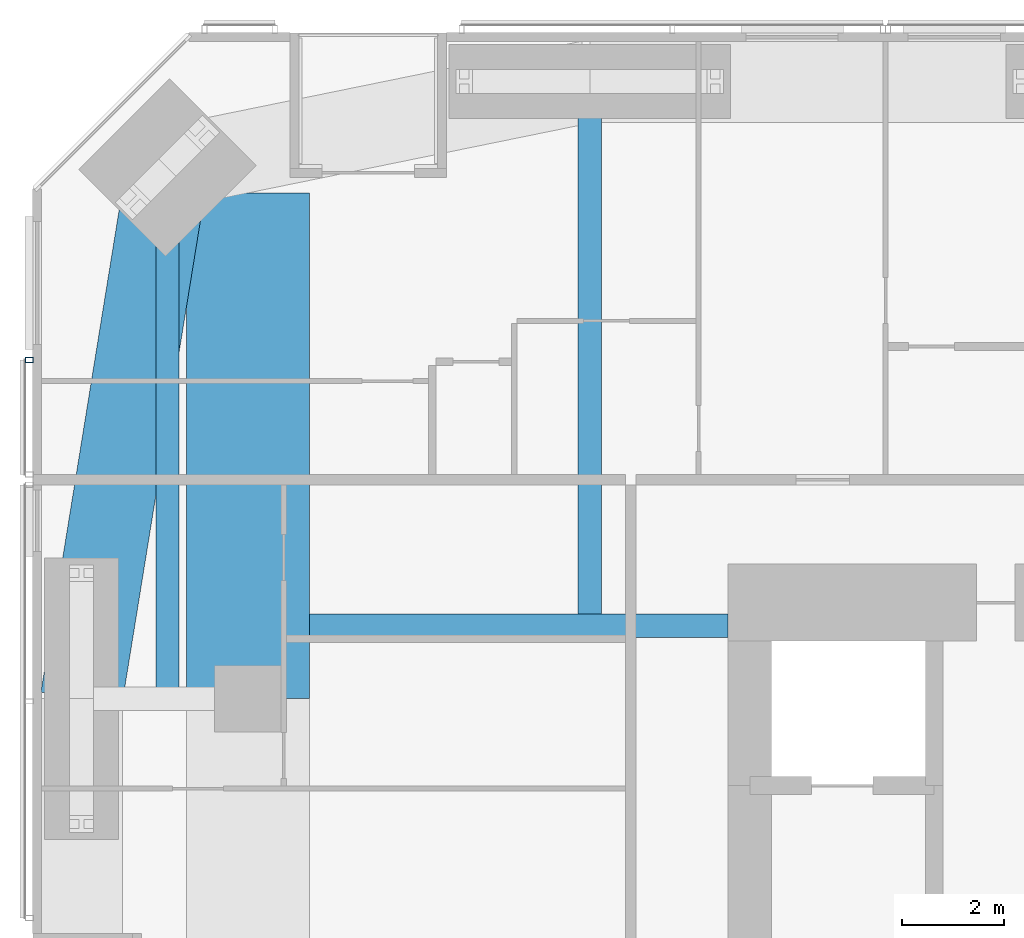
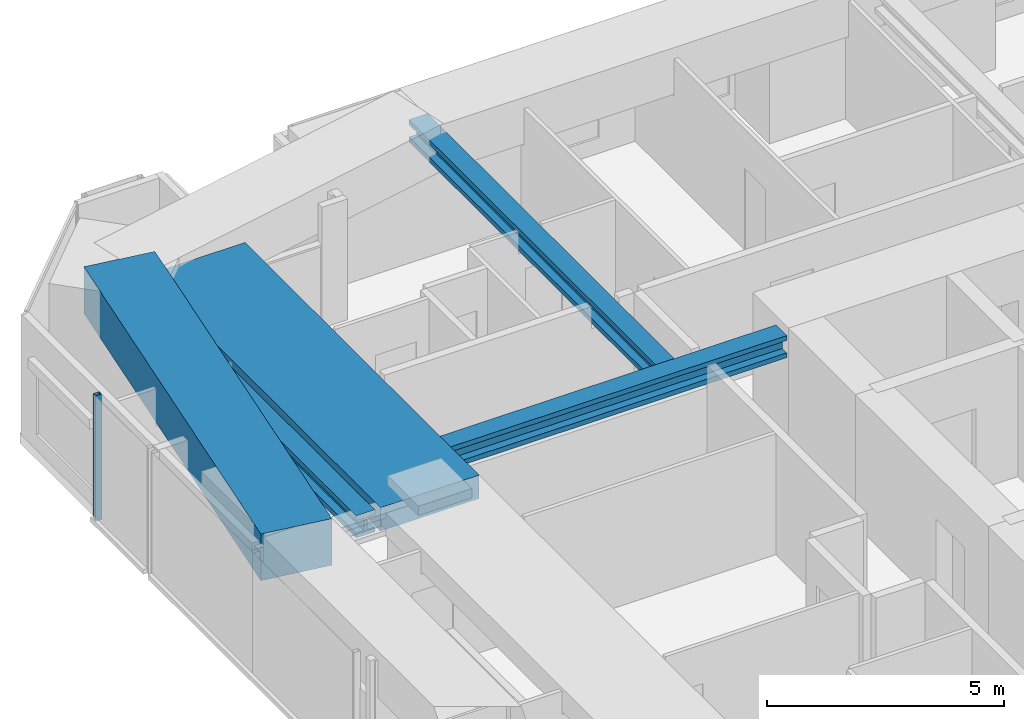
# One storey, part 7 of 23: 5 beams, 1 member, 1 element without a shape of its own.
"""IFC4 building model written with IfcOpenShell, lengths in metres."""

from ifc_helpers import new_model, si_unit, direction, frame, origin, origin_2d, place, context, subcontext, project, spatial, rectangle, hollow_rectangle, i_section, extrude, material, material_profile, profile_set, type_object, element, aggregate, save


model = new_model("IFC4")

# Units and contexts
model_context = context("Model", 3, precision=1e-05, world=origin(), true_north=direction((0.0, 1.0)))
body_context = subcontext(model_context, "Body", "Model", "MODEL_VIEW")
ifc_project = project(units=[si_unit("LENGTHUNIT", "METRE"), si_unit("AREAUNIT", "SQUARE_METRE"), si_unit("VOLUMEUNIT", "CUBIC_METRE"), si_unit("PLANEANGLEUNIT", "RADIAN"), si_unit("MASSUNIT", "GRAM", prefix="KILO")], contexts=[model_context])

# Site, building, storey
site_placement = place(None, origin())
site = spatial("IfcSite", under=ifc_project, at=site_placement, CompositionType="ELEMENT")
building_placement = place(site_placement, origin())
building = spatial("IfcBuilding", under=site, at=building_placement, Name="Jalousie Tower", CompositionType="ELEMENT")
storey_placement = place(building_placement, frame((0.0, 0.0, 121.60009765625)))
storey = spatial("IfcBuildingStorey", under=building, at=storey_placement, Name="L33", CompositionType="ELEMENT", Elevation=121.60009765625)

# Beams
ifc_material_1 = material(Name="Steel ASTM A992 Grade 50", Category="steel")
ifc_material_profile_1 = material_profile(ifc_material_1, i_section(OverallWidth=0.45458984375, OverallDepth=0.569091796875, WebThickness=0.077880859375, FlangeThickness=0.124755859375, at=origin_2d()), Name="W14X730")
ifc_profile_set_1 = profile_set([ifc_material_profile_1], Name="Steel ASTM A992 Grade 50")
beam_type_1 = type_object("IfcBeamType", Name="LEAN COLLECTOR W14X730", PredefinedType="BEAM", material=ifc_profile_set_1)
beam_1_placement = place(storey_placement, frame((11.39990234375, 26.425048828125, 2.825439453125), z_axis=(1.0, 0.0, 0.0), x_axis=(0.0, 1.0, 0.0)))
element("IfcBeam", 1, at=beam_1_placement, inside=storey, type_object=beam_type_1, Name="Lean collector under L34", PredefinedType="BEAM", context=body_context, shape_type="SweptSolid", body=[
    extrude(i_section(OverallWidth=0.45458984375, OverallDepth=0.569091796875, WebThickness=0.077880859375, FlangeThickness=0.124755859375, at=origin_2d()), origin(), (0.0, 0.0, 1.0), 8.175048828125),
])
beam_2_placement = place(storey_placement, frame((8.63134765625, 35.36865234375, 2.825439453125), z_axis=(0.0, -1.0, 0.0), x_axis=(1.0, 0.0, 0.0)))
element("IfcBeam", 2, at=beam_2_placement, inside=storey, type_object=beam_type_1, Name="Lean collector under L34", PredefinedType="BEAM", context=body_context, shape_type="SweptSolid", body=[
    extrude(i_section(OverallWidth=0.45458984375, OverallDepth=0.569091796875, WebThickness=0.077880859375, FlangeThickness=0.124755859375, at=origin_2d()), origin(), (0.0, 0.0, 1.0), 10.36865234375),
])
beam_3_placement = place(storey_placement, frame((16.875, 37.050048828125, 2.825439453125), z_axis=(0.0, -1.0, 0.0), x_axis=(1.0, 0.0, 0.0)))
element("IfcBeam", 3, at=beam_3_placement, inside=storey, type_object=beam_type_1, Name="Lean collector under L34", PredefinedType="BEAM", context=body_context, shape_type="SweptSolid", body=[
    extrude(i_section(OverallWidth=0.45458984375, OverallDepth=0.569091796875, WebThickness=0.077880859375, FlangeThickness=0.124755859375, at=origin_2d()), origin(), (0.0, 0.0, 1.0), 10.625),
])
ifc_material_2 = material(Name="Concrete f'c 40 MPa", Category="concrete")
ifc_material_profile_2 = material_profile(ifc_material_2, rectangle(XDim=1.60009765625, YDim=1.199951171875, at=origin_2d()), Name="RC 1600x1200")
ifc_profile_set_2 = profile_set([ifc_material_profile_2], Name="Concrete f'c 40 MPa")
beam_type_2 = type_object("IfcBeamType", Name="RC BEAM 1600x1200", PredefinedType="BEAM", material=ifc_profile_set_2)
beam_4_placement = place(storey_placement, frame((8.63134765625, 35.36865234375, 2.75), z_axis=(-0.160070546476, -0.987105577003, 0.0), x_axis=(0.987105577003, -0.160070546476, 0.0)))
element("IfcBeam", 4, at=beam_4_placement, inside=storey, type_object=beam_type_2, Name="Edge band beam 12-13 under L34", PredefinedType="BEAM", context=body_context, shape_type="SweptSolid", body=[
    extrude(rectangle(XDim=1.60009765625, YDim=1.199951171875, at=origin_2d()), origin(), (0.0, 0.0, 1.0), 10.504150390625),
])
ifc_material_3 = material(Name="Concrete f'c 40 MPa", Category="concrete")
ifc_material_profile_3 = material_profile(ifc_material_3, rectangle(XDim=2.39990234375, YDim=0.60009765625, at=origin_2d()), Name="RC 2400x600")
ifc_profile_set_3 = profile_set([ifc_material_profile_3], Name="Concrete f'c 40 MPa")
beam_type_3 = type_object("IfcBeamType", Name="RC BEAM 2400x600", PredefinedType="BEAM", material=ifc_profile_set_3)
beam_5_placement = place(storey_placement, frame((10.199951171875, 25.0, 2.809814453125), z_axis=(0.0, 1.0, 0.0), x_axis=(-1.0, 0.0, 0.0)))
element("IfcBeam", 5, at=beam_5_placement, inside=storey, type_object=beam_type_3, Name="Floor band beam under L34", PredefinedType="BEAM", context=body_context, shape_type="SweptSolid", body=[
    extrude(rectangle(XDim=2.39990234375, YDim=0.60009765625, at=origin_2d()), origin(), (0.0, 0.0, 1.0), 9.8720703125),
])

# Curtain wall, member
ifc_material_4 = material(Name="Perforated aluminium sheet", Category="aluminium")
curtain_wall_type = type_object("IfcCurtainWallType", Name="SOLAR SCREEN SS-1", PredefinedType="USERDEFINED", material=ifc_material_4)
curtain_wall_placement = place(storey_placement, origin())
curtain_wall = element("IfcCurtainWall", 6, at=curtain_wall_placement, inside=storey, type_object=curtain_wall_type, Name="Solar screen L33", ObjectType="SOLAR SCREEN SS-1", PredefinedType="USERDEFINED")
ifc_material_5 = material(Name="Steel ASTM A500 Grade C", Category="steel")
ifc_material_profile_4 = material_profile(ifc_material_5, hollow_rectangle(XDim=0.1015625, YDim=0.15234375, WallThickness=0.00634765625, at=origin_2d()), Name="HSS6X4X1/4")
ifc_profile_set_4 = profile_set([ifc_material_profile_4], Name="Steel ASTM A500 Grade C")
member_type = type_object("IfcMemberType", Name="SOLAR SCREEN SS-1 MULLION", PredefinedType="MULLION", material=ifc_profile_set_4)
member_placement = place(storey_placement, frame((5.9287109375, 31.6123046875, -0.1201171875), z_axis=(0.0, 0.0, 1.0), x_axis=(0.0, -1.0, 0.0)))
member = element("IfcMember", 7, at=member_placement, type_object=member_type, Name="SS1 post 1", PredefinedType="MULLION", context=body_context, shape_type="SweptSolid", body=[
    extrude(hollow_rectangle(XDim=0.1015625, YDim=0.15234375, WallThickness=0.00634765625, at=origin_2d()), origin(), (0.0, 0.0, 1.0), 3.22998046875),
])
aggregate(curtain_wall, [member])

save(model, "model.ifc")
